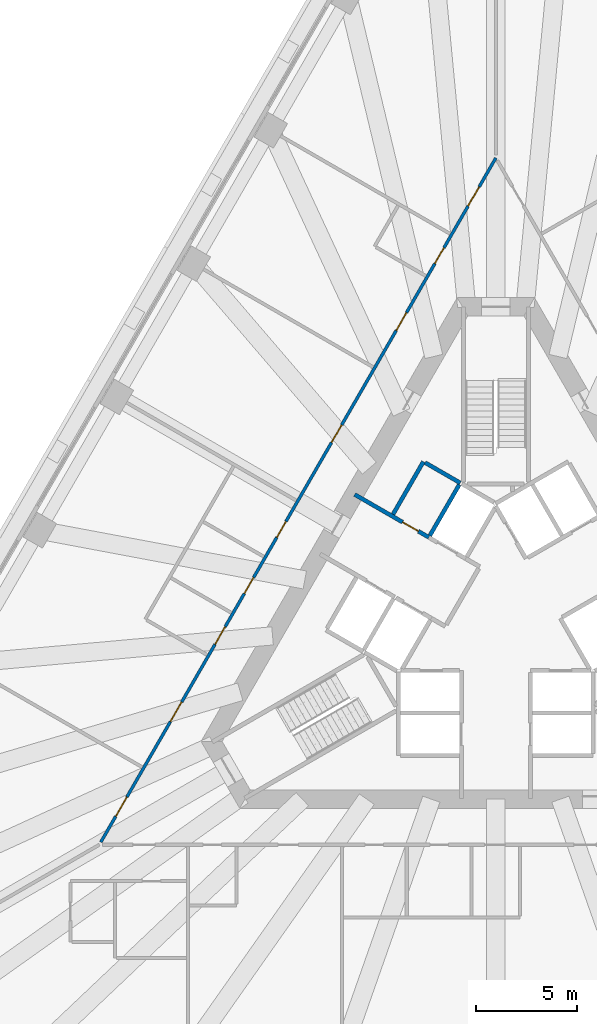
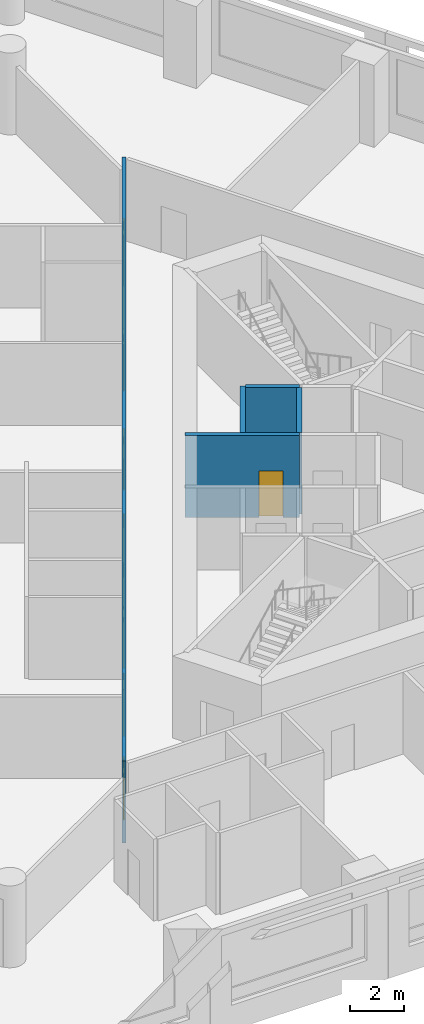
# One storey, part 4 of 11: 10 doors, 5 walls, 10 openings.
"""IFC4 building model written with IfcOpenShell, lengths in metres."""

from ifc_helpers import new_model, si_unit, direction, frame, frame_2d, origin, place, context, subcontext, project, spatial, rectangle, extrude, material, layer, layer_set, type_object, element, fill, save


model = new_model("IFC4")

# Units and contexts
model_context = context("Model", 3, precision=1e-05, world=origin(), true_north=direction((0.0, 1.0)))
body_context = subcontext(model_context, "Body", "Model", "MODEL_VIEW")
ifc_project = project(units=[si_unit("LENGTHUNIT", "METRE"), si_unit("AREAUNIT", "SQUARE_METRE"), si_unit("VOLUMEUNIT", "CUBIC_METRE"), si_unit("PLANEANGLEUNIT", "RADIAN"), si_unit("MASSUNIT", "GRAM", prefix="KILO")], contexts=[model_context])

# Site, building, storey
site_placement = place(None, origin())
site = spatial("IfcSite", under=ifc_project, at=site_placement, CompositionType="ELEMENT")
building_placement = place(site_placement, origin())
building = spatial("IfcBuilding", under=site, at=building_placement, Name="Triada Interchange Tower", CompositionType="ELEMENT")
storey_placement = place(building_placement, frame((0.0, 0.0, 39.300048828125)))
storey = spatial("IfcBuildingStorey", under=building, at=storey_placement, Name="L07", CompositionType="ELEMENT", Elevation=39.300048828125)

# Wall, opening, door
ifc_material_1 = material(Name="Concrete C30/37", Category="concrete")
ifc_layer_1 = layer(ifc_material_1, 0.199951171875)
ifc_layer_set_1 = layer_set([ifc_layer_1], Name="CORE WALL 200 EI 180")
wall_type_1 = type_object("IfcWallType", Name="CORE WALL 200 EI 180", PredefinedType="SOLIDWALL", material=ifc_layer_set_1)
wall_1_placement = place(storey_placement, frame((-6.969970703125, 5.987060546875, 0.0), z_axis=(0.0, 0.0, 1.0), x_axis=(0.866029956157, -0.499992114976, 0.0)))
wall_1 = element("IfcWall", 1, at=wall_1_placement, inside=storey, type_object=wall_type_1, Name="Wall L06 70", PredefinedType="SOLIDWALL", context=body_context, shape_type="SweptSolid", body=[
    extrude(rectangle(XDim=4.23193359375, YDim=0.199951171875, at=frame_2d((2.115966796875, 0.0))), origin(), (0.0, 0.0, 1.0), 3.699951171875),
])
opening_1_placement = place(wall_1_placement, frame((2.72998046875, 0.0, 0.0)))
opening_1 = element("IfcOpeningElement", 2, at=opening_1_placement, cuts=wall_1, Name="Opening D06-10", PredefinedType="OPENING", context=body_context, shape_type="SweptSolid", body=[
    extrude(rectangle(XDim=0.89990234375, YDim=2.10009765625, at=frame_2d((0.449951171875, 1.050048828125))), frame((0.0, 0.10986328125, 0.0), z_axis=(0.0, -1.0, 0.0), x_axis=(1.0, 0.0, 0.0)), (0.0, 0.0, 1.0), 0.219970703125),
])
ifc_material_2 = material(Name="Steel S235 door leaf", Category="steel")
door_type_1 = type_object("IfcDoorType", Name="SERVICE DOOR 900 EI2 90-C5S200", OperationType="NOTDEFINED", PredefinedType="DOOR", material=ifc_material_2)
door_1_placement = place(opening_1_placement, origin())
door_1 = element("IfcDoor", 3, at=door_1_placement, inside=storey, type_object=door_type_1, Name="Door D06-10 L07", OperationType="SINGLE_SWING_LEFT", OverallHeight=2.10009765625, OverallWidth=0.89990234375, PredefinedType="DOOR", context=body_context, shape_type="SweptSolid", body=[
    extrude(rectangle(XDim=0.89990234375, YDim=2.10009765625, at=frame_2d((0.449951171875, 1.050048828125))), frame((0.0, 0.02490234375, 0.0), z_axis=(0.0, -1.0, 0.0), x_axis=(1.0, 0.0, 0.0)), (0.0, 0.0, 1.0), 0.050048828125),
])
fill(opening_1, door_1)

# Walls
wall_2_placement = place(storey_placement, frame((-5.075927734375, 5.009033203125, 0.0), z_axis=(0.0, 0.0, 1.0), x_axis=(0.50002537861, 0.866010750942, 0.0)))
element("IfcWall", 4, at=wall_2_placement, inside=storey, type_object=wall_type_1, Name="Wall L06 72", PredefinedType="SOLIDWALL", context=body_context, shape_type="SweptSolid", body=[
    extrude(rectangle(XDim=2.999755859375, YDim=0.199951171875, at=frame_2d((1.5, 0.0))), origin(), (0.0, 0.0, 1.0), 3.699951171875),
])
wall_3_placement = place(storey_placement, frame((-3.489013671875, 7.556884765625, 0.0), z_axis=(0.0, 0.0, 1.0), x_axis=(0.866010750942, -0.50002537861, 0.0)))
element("IfcWall", 5, at=wall_3_placement, inside=storey, type_object=wall_type_1, Name="Wall L06 73", PredefinedType="SOLIDWALL", context=body_context, shape_type="SweptSolid", body=[
    extrude(rectangle(XDim=2.0, YDim=0.199951171875, at=frame_2d((1.0, 0.0))), origin(), (0.0, 0.0, 1.0), 3.699951171875),
])
wall_4_placement = place(storey_placement, frame((-3.257080078125, 3.958984375, 0.0), z_axis=(0.0, 0.0, 1.0), x_axis=(0.50012328804, 0.865954211699, 0.0)))
element("IfcWall", 6, at=wall_4_placement, inside=storey, type_object=wall_type_1, Name="Shaft wall FF2 L06 80", PredefinedType="SOLIDWALL", context=body_context, shape_type="SweptSolid", body=[
    extrude(rectangle(XDim=2.899658203125, YDim=0.199951171875, at=frame_2d((1.44970703125, 0.0))), origin(), (0.0, 0.0, 1.0), 3.699951171875),
])

# Wall, openings, doors
ifc_material_3 = material(Name="Gypsum board partition")
ifc_layer_2 = layer(ifc_material_3, 0.14990234375)
ifc_layer_set_2 = layer_set([ifc_layer_2], Name="PARTITION 150 EI 180")
wall_type_2 = type_object("IfcWallType", Name="PARTITION 150 EI 180", PredefinedType="PARTITIONING", material=ifc_layer_set_2)
wall_5_placement = place(storey_placement, frame((-19.4970703125, -11.169921875, 0.0), z_axis=(0.0, 0.0, 1.0), x_axis=(0.499998854553, 0.866026065108, 0.0)))
wall_5 = element("IfcWall", 7, at=wall_5_placement, inside=storey, type_object=wall_type_2, Name="Wall L06 4", PredefinedType="PARTITIONING", context=body_context, shape_type="SweptSolid", body=[
    extrude(rectangle(XDim=38.994140625, YDim=0.14990234375, at=frame_2d((19.4970703125, 0.0))), origin(), (0.0, 0.0, 1.0), 3.699951171875),
])
opening_2_placement = place(wall_5_placement, frame((36.243896484375, 0.0, 0.0)))
opening_2 = element("IfcOpeningElement", 8, at=opening_2_placement, cuts=wall_5, Name="Opening D06-31", PredefinedType="OPENING", context=body_context, shape_type="SweptSolid", body=[
    extrude(rectangle(XDim=1.10009765625, YDim=2.10009765625, at=frame_2d((0.550048828125, 1.050048828125))), frame((0.0, 0.0849609375, 0.0), z_axis=(0.0, -1.0, 0.0), x_axis=(1.0, 0.0, 0.0)), (0.0, 0.0, 1.0), 0.169921875),
])
opening_3_placement = place(wall_5_placement, frame((29.1708984375, 0.0, 0.0)))
opening_3 = element("IfcOpeningElement", 9, at=opening_3_placement, cuts=wall_5, Name="Opening D06-32", PredefinedType="OPENING", context=body_context, shape_type="SweptSolid", body=[
    extrude(rectangle(XDim=1.0, YDim=2.10009765625, at=frame_2d((0.5, 1.050048828125))), frame((0.0, 0.0849609375, 0.0), z_axis=(0.0, -1.0, 0.0), x_axis=(1.0, 0.0, 0.0)), (0.0, 0.0, 1.0), 0.169921875),
])
opening_4_placement = place(wall_5_placement, frame((32.970947265625, 0.0, 0.0)))
opening_4 = element("IfcOpeningElement", 10, at=opening_4_placement, cuts=wall_5, Name="Opening D06-33", PredefinedType="OPENING", context=body_context, shape_type="SweptSolid", body=[
    extrude(rectangle(XDim=0.89990234375, YDim=2.10009765625, at=frame_2d((0.449951171875, 1.050048828125))), frame((0.0, 0.0849609375, 0.0), z_axis=(0.0, -1.0, 0.0), x_axis=(1.0, 0.0, 0.0)), (0.0, 0.0, 1.0), 0.169921875),
])
opening_5_placement = place(wall_5_placement, frame((22.77099609375, 0.0, 0.0)))
opening_5 = element("IfcOpeningElement", 11, at=opening_5_placement, cuts=wall_5, Name="Opening D06-34", PredefinedType="OPENING", context=body_context, shape_type="SweptSolid", body=[
    extrude(rectangle(XDim=1.0, YDim=2.10009765625, at=frame_2d((0.5, 1.050048828125))), frame((0.0, 0.0849609375, 0.0), z_axis=(0.0, -1.0, 0.0), x_axis=(1.0, 0.0, 0.0)), (0.0, 0.0, 1.0), 0.169921875),
])
opening_6_placement = place(wall_5_placement, frame((6.8720703125, 0.0, 0.0)))
opening_6 = element("IfcOpeningElement", 12, at=opening_6_placement, cuts=wall_5, Name="Opening D06-35", PredefinedType="OPENING", context=body_context, shape_type="SweptSolid", body=[
    extrude(rectangle(XDim=1.10009765625, YDim=2.10009765625, at=frame_2d((0.550048828125, 1.050048828125))), frame((0.0, 0.0849609375, 0.0), z_axis=(0.0, -1.0, 0.0), x_axis=(1.0, 0.0, 0.0)), (0.0, 0.0, 1.0), 0.169921875),
])
opening_7_placement = place(wall_5_placement, frame((17.3720703125, 0.0, 0.0)))
opening_7 = element("IfcOpeningElement", 13, at=opening_7_placement, cuts=wall_5, Name="Opening D06-36", PredefinedType="OPENING", context=body_context, shape_type="SweptSolid", body=[
    extrude(rectangle(XDim=0.89990234375, YDim=2.10009765625, at=frame_2d((0.449951171875, 1.050048828125))), frame((0.0, 0.0849609375, 0.0), z_axis=(0.0, -1.0, 0.0), x_axis=(1.0, 0.0, 0.0)), (0.0, 0.0, 1.0), 0.169921875),
])
opening_8_placement = place(wall_5_placement, frame((14.172119140625, 0.0, 0.0)))
opening_8 = element("IfcOpeningElement", 14, at=opening_8_placement, cuts=wall_5, Name="Opening D06-37", PredefinedType="OPENING", context=body_context, shape_type="SweptSolid", body=[
    extrude(rectangle(XDim=0.89990234375, YDim=2.10009765625, at=frame_2d((0.449951171875, 1.050048828125))), frame((0.0, 0.0849609375, 0.0), z_axis=(0.0, -1.0, 0.0), x_axis=(1.0, 0.0, 0.0)), (0.0, 0.0, 1.0), 0.169921875),
])
opening_9_placement = place(wall_5_placement, frame((11.27197265625, 0.0, 0.0)))
opening_9 = element("IfcOpeningElement", 15, at=opening_9_placement, cuts=wall_5, Name="Opening D06-38", PredefinedType="OPENING", context=body_context, shape_type="SweptSolid", body=[
    extrude(rectangle(XDim=1.0, YDim=2.10009765625, at=frame_2d((0.5, 1.050048828125))), frame((0.0, 0.0849609375, 0.0), z_axis=(0.0, -1.0, 0.0), x_axis=(1.0, 0.0, 0.0)), (0.0, 0.0, 1.0), 0.169921875),
])
opening_10_placement = place(wall_5_placement, frame((1.472900390625, 0.0, 0.0)))
opening_10 = element("IfcOpeningElement", 16, at=opening_10_placement, cuts=wall_5, Name="Opening D06-39", PredefinedType="OPENING", context=body_context, shape_type="SweptSolid", body=[
    extrude(rectangle(XDim=1.10009765625, YDim=2.10009765625, at=frame_2d((0.550048828125, 1.050048828125))), frame((0.0, 0.0849609375, 0.0), z_axis=(0.0, -1.0, 0.0), x_axis=(1.0, 0.0, 0.0)), (0.0, 0.0, 1.0), 0.169921875),
])
door_type_2 = type_object("IfcDoorType", Name="ROOM DOOR 1000 EI2 90-C5S200", OperationType="NOTDEFINED", PredefinedType="DOOR", material=ifc_material_2)
door_2_placement = place(opening_3_placement, origin())
door_2 = element("IfcDoor", 17, at=door_2_placement, inside=storey, type_object=door_type_2, Name="Door D06-32 L07", OperationType="SINGLE_SWING_LEFT", OverallHeight=2.10009765625, OverallWidth=1.0, PredefinedType="DOOR", context=body_context, shape_type="SweptSolid", body=[
    extrude(rectangle(XDim=1.0, YDim=2.10009765625, at=frame_2d((0.5, 1.050048828125))), frame((0.0, 0.02490234375, 0.0), z_axis=(0.0, -1.0, 0.0), x_axis=(1.0, 0.0, 0.0)), (0.0, 0.0, 1.0), 0.050048828125),
])
fill(opening_3, door_2)
door_3_placement = place(opening_5_placement, origin())
door_3 = element("IfcDoor", 18, at=door_3_placement, inside=storey, type_object=door_type_2, Name="Door D06-34 L07", OperationType="SINGLE_SWING_LEFT", OverallHeight=2.10009765625, OverallWidth=1.0, PredefinedType="DOOR", context=body_context, shape_type="SweptSolid", body=[
    extrude(rectangle(XDim=1.0, YDim=2.10009765625, at=frame_2d((0.5, 1.050048828125))), frame((0.0, 0.02490234375, 0.0), z_axis=(0.0, -1.0, 0.0), x_axis=(1.0, 0.0, 0.0)), (0.0, 0.0, 1.0), 0.050048828125),
])
fill(opening_5, door_3)
door_4_placement = place(opening_9_placement, origin())
door_4 = element("IfcDoor", 19, at=door_4_placement, inside=storey, type_object=door_type_2, Name="Door D06-38 L07", OperationType="SINGLE_SWING_RIGHT", OverallHeight=2.10009765625, OverallWidth=1.0, PredefinedType="DOOR", context=body_context, shape_type="SweptSolid", body=[
    extrude(rectangle(XDim=1.0, YDim=2.10009765625, at=frame_2d((0.5, 1.050048828125))), frame((0.0, 0.02490234375, 0.0), z_axis=(0.0, -1.0, 0.0), x_axis=(1.0, 0.0, 0.0)), (0.0, 0.0, 1.0), 0.050048828125),
])
fill(opening_9, door_4)
door_type_3 = type_object("IfcDoorType", Name="ROOM DOOR 900 EI2 90-C5S200", OperationType="NOTDEFINED", PredefinedType="DOOR", material=ifc_material_2)
door_5_placement = place(opening_7_placement, origin())
door_5 = element("IfcDoor", 20, at=door_5_placement, inside=storey, type_object=door_type_3, Name="Door D06-36 L07", OperationType="SINGLE_SWING_RIGHT", OverallHeight=2.10009765625, OverallWidth=0.89990234375, PredefinedType="DOOR", context=body_context, shape_type="SweptSolid", body=[
    extrude(rectangle(XDim=0.89990234375, YDim=2.10009765625, at=frame_2d((0.449951171875, 1.050048828125))), frame((0.0, 0.02490234375, 0.0), z_axis=(0.0, -1.0, 0.0), x_axis=(1.0, 0.0, 0.0)), (0.0, 0.0, 1.0), 0.050048828125),
])
fill(opening_7, door_5)
door_6_placement = place(opening_8_placement, origin())
door_6 = element("IfcDoor", 21, at=door_6_placement, inside=storey, type_object=door_type_3, Name="Door D06-37 L07", OperationType="SINGLE_SWING_LEFT", OverallHeight=2.10009765625, OverallWidth=0.89990234375, PredefinedType="DOOR", context=body_context, shape_type="SweptSolid", body=[
    extrude(rectangle(XDim=0.89990234375, YDim=2.10009765625, at=frame_2d((0.449951171875, 1.050048828125))), frame((0.0, 0.02490234375, 0.0), z_axis=(0.0, -1.0, 0.0), x_axis=(1.0, 0.0, 0.0)), (0.0, 0.0, 1.0), 0.050048828125),
])
fill(opening_8, door_6)
door_7_placement = place(opening_4_placement, origin())
door_7 = element("IfcDoor", 22, at=door_7_placement, inside=storey, type_object=door_type_1, Name="Door D06-33 L07", OperationType="SINGLE_SWING_LEFT", OverallHeight=2.10009765625, OverallWidth=0.89990234375, PredefinedType="DOOR", context=body_context, shape_type="SweptSolid", body=[
    extrude(rectangle(XDim=0.89990234375, YDim=2.10009765625, at=frame_2d((0.449951171875, 1.050048828125))), frame((0.0, 0.02490234375, 0.0), z_axis=(0.0, -1.0, 0.0), x_axis=(1.0, 0.0, 0.0)), (0.0, 0.0, 1.0), 0.050048828125),
])
fill(opening_4, door_7)
door_type_4 = type_object("IfcDoorType", Name="TENANCY ENTRANCE DOOR 1100 EI2 90-C5S200", OperationType="NOTDEFINED", PredefinedType="DOOR", material=ifc_material_2)
door_8_placement = place(opening_2_placement, origin())
door_8 = element("IfcDoor", 23, at=door_8_placement, inside=storey, type_object=door_type_4, Name="Door D06-31 L07", OperationType="SINGLE_SWING_RIGHT", OverallHeight=2.10009765625, OverallWidth=1.10009765625, PredefinedType="DOOR", context=body_context, shape_type="SweptSolid", body=[
    extrude(rectangle(XDim=1.10009765625, YDim=2.10009765625, at=frame_2d((0.550048828125, 1.050048828125))), frame((0.0, 0.02490234375, 0.0), z_axis=(0.0, -1.0, 0.0), x_axis=(1.0, 0.0, 0.0)), (0.0, 0.0, 1.0), 0.050048828125),
])
fill(opening_2, door_8)
door_9_placement = place(opening_6_placement, origin())
door_9 = element("IfcDoor", 24, at=door_9_placement, inside=storey, type_object=door_type_4, Name="Door D06-35 L07", OperationType="SINGLE_SWING_RIGHT", OverallHeight=2.10009765625, OverallWidth=1.10009765625, PredefinedType="DOOR", context=body_context, shape_type="SweptSolid", body=[
    extrude(rectangle(XDim=1.10009765625, YDim=2.10009765625, at=frame_2d((0.550048828125, 1.050048828125))), frame((0.0, 0.02490234375, 0.0), z_axis=(0.0, -1.0, 0.0), x_axis=(1.0, 0.0, 0.0)), (0.0, 0.0, 1.0), 0.050048828125),
])
fill(opening_6, door_9)
door_10_placement = place(opening_10_placement, origin())
door_10 = element("IfcDoor", 25, at=door_10_placement, inside=storey, type_object=door_type_4, Name="Door D06-39 L07", OperationType="SINGLE_SWING_LEFT", OverallHeight=2.10009765625, OverallWidth=1.10009765625, PredefinedType="DOOR", context=body_context, shape_type="SweptSolid", body=[
    extrude(rectangle(XDim=1.10009765625, YDim=2.10009765625, at=frame_2d((0.550048828125, 1.050048828125))), frame((0.0, 0.02490234375, 0.0), z_axis=(0.0, -1.0, 0.0), x_axis=(1.0, 0.0, 0.0)), (0.0, 0.0, 1.0), 0.050048828125),
])
fill(opening_10, door_10)

save(model, "model.ifc")
